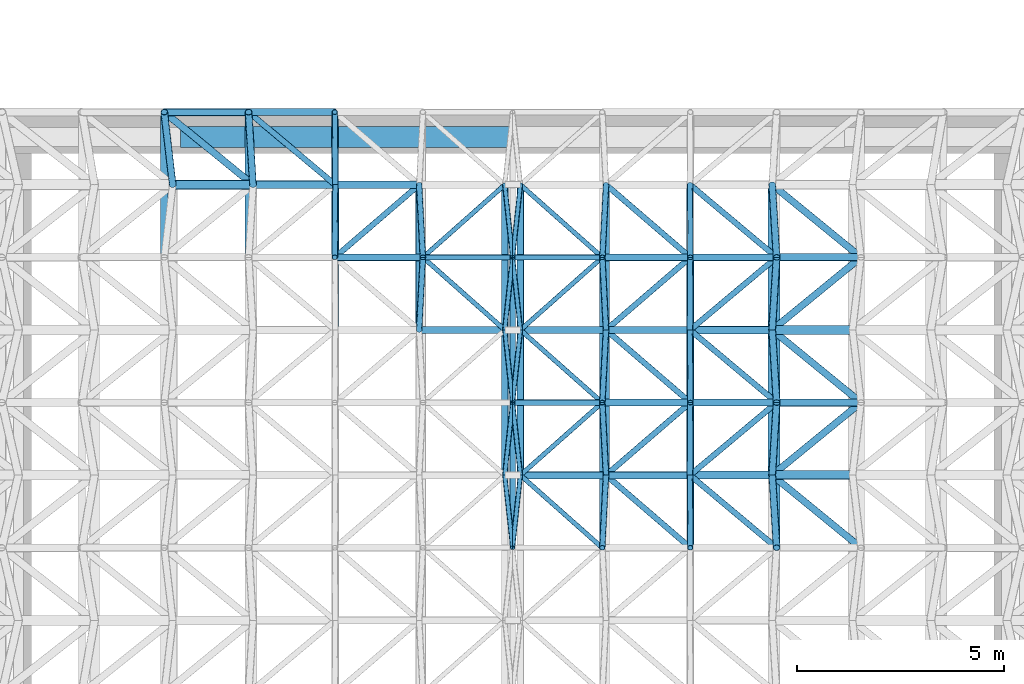
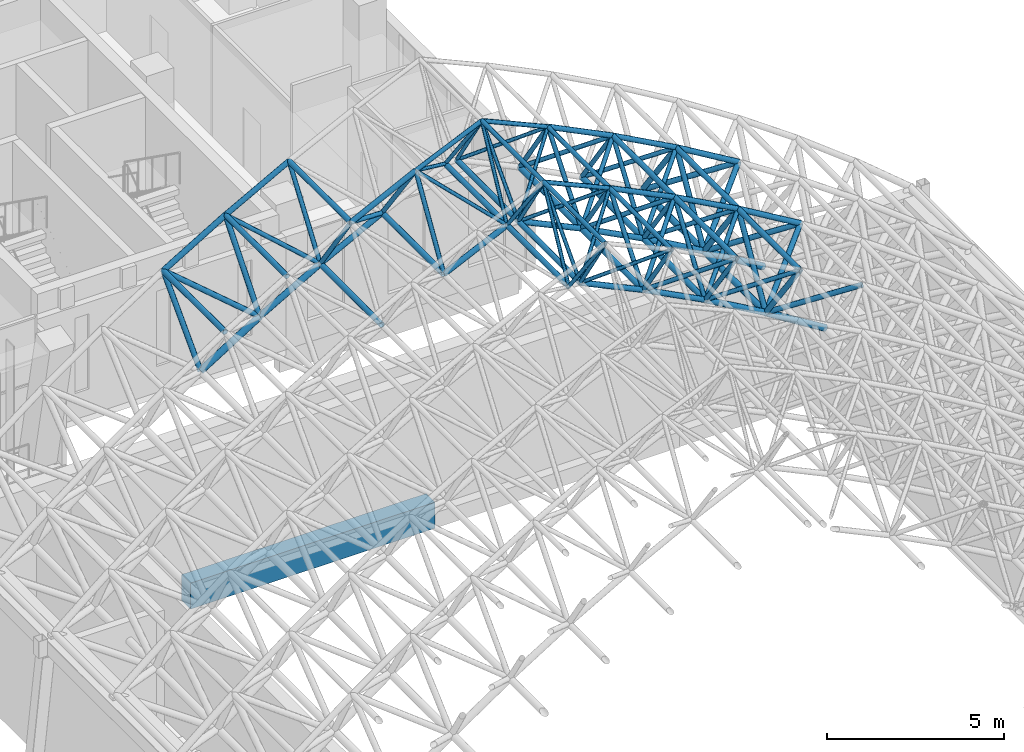
# One storey, part 52 of 141: 103 members, 1 beam.
"""IFC4 building model written with IfcOpenShell, lengths in metres."""

from ifc_helpers import new_model, si_unit, direction, frame, origin, origin_2d, place, context, subcontext, project, spatial, rectangle, hollow_circle, extrude, material, material_profile, profile_set, type_object, element, save


model = new_model("IFC4")

# Units and contexts
model_context = context("Model", 3, precision=1e-05, world=origin(), true_north=direction((0.0, 1.0)))
body_context = subcontext(model_context, "Body", "Model", "MODEL_VIEW")
ifc_project = project(units=[si_unit("LENGTHUNIT", "METRE"), si_unit("AREAUNIT", "SQUARE_METRE"), si_unit("VOLUMEUNIT", "CUBIC_METRE"), si_unit("PLANEANGLEUNIT", "RADIAN"), si_unit("MASSUNIT", "GRAM", prefix="KILO")], contexts=[model_context])

# Site, building, storey
site_placement = place(None, origin())
site = spatial("IfcSite", under=ifc_project, at=site_placement, CompositionType="ELEMENT")
building_placement = place(site_placement, origin())
building = spatial("IfcBuilding", under=site, at=building_placement, Name="Lantern Court Media Centre", CompositionType="ELEMENT")
storey_placement = place(building_placement, frame((0.0, 0.0, 9.60009765625)))
storey = spatial("IfcBuildingStorey", under=building, at=storey_placement, Name="L02", CompositionType="ELEMENT", Elevation=9.60009765625)

# Beam
ifc_material_1 = material(Name="Concrete C35", Category="concrete")
ifc_material_profile_1 = material_profile(ifc_material_1, rectangle(XDim=0.5, YDim=0.89990234375, at=origin_2d()), Name="RC 500x900")
ifc_profile_set_1 = profile_set([ifc_material_profile_1], Name="Concrete C35")
beam_type = type_object("IfcBeamType", Name="RC BEAM 500x900", PredefinedType="BEAM", material=ifc_profile_set_1)
beam_placement = place(storey_placement, frame((80.0, 39.39990234375, -0.4501953125), z_axis=(1.0, 0.0, 0.0), x_axis=(0.0, 1.0, 0.0)))
element("IfcBeam", 1, at=beam_placement, inside=storey, type_object=beam_type, Name="HB-V2-L02-FX6-1", PredefinedType="BEAM", context=body_context, shape_type="SweptSolid", body=[
    extrude(rectangle(XDim=0.5, YDim=0.89990234375, at=origin_2d()), origin(), (0.0, 0.0, 1.0), 8.0),
])

# Members
ifc_material_2 = material(Name="Steel S355J2 (EN 10025-2)", Category="steel")
ifc_material_profile_2 = material_profile(ifc_material_2, hollow_circle(Radius=0.084228515625, WallThickness=0.00634765625, at=origin_2d()), Name="Studio Hall bottom CHS 168.3x6.3")
ifc_profile_set_2 = profile_set([ifc_material_profile_2], Name="Steel S355J2 (EN 10025-2)")
member_type_1 = type_object("IfcMemberType", Name="Studio Hall bottom CHS 168.3x6.3", PredefinedType="CHORD", material=ifc_profile_set_2)
for number, where, z_axis, x_axis, name in (
    (2, (87.812255859375, 31.25, 12.31884765625), (0.0, 1.0, 0.0), (-1.0, 0.0, 0.0), "Studio Hall bottom chord 08-10"),
    (3, (88.187744140625, 31.25, 12.31884765625), (0.0, 1.0, 0.0), (-1.0, 0.0, 0.0), "Studio Hall bottom chord 09-10"),
    (4, (87.812255859375, 34.75, 12.31884765625), (0.0, 1.0, 0.0), (-1.0, 0.0, 0.0), "Studio Hall bottom chord 08-11"),
    (5, (88.187744140625, 34.75, 12.31884765625), (0.0, 1.0, 0.0), (-1.0, 0.0, 0.0), "Studio Hall bottom chord 09-11"),
):
    element("IfcMember", number, at=place(storey_placement, frame(where, z_axis=z_axis, x_axis=x_axis)), inside=storey, type_object=member_type_1, Name=name, PredefinedType="CHORD", context=body_context, shape_type="SweptSolid", body=[
        extrude(hollow_circle(Radius=0.084228515625, WallThickness=0.00634765625, at=origin_2d()), origin(), (0.0, 0.0, 1.0), 3.5),
    ])
ifc_material_profile_3 = material_profile(ifc_material_2, hollow_circle(Radius=0.0888671875, WallThickness=0.008056640625, at=origin_2d()), Name="Studio Hall bottom CHS 177.8x8")
ifc_profile_set_3 = profile_set([ifc_material_profile_3], Name="Steel S355J2 (EN 10025-2)")
member_type_2 = type_object("IfcMemberType", Name="Studio Hall bottom CHS 177.8x8", PredefinedType="CHORD", material=ifc_profile_set_3)
for number, where, z_axis, x_axis, name in (
    (6, (90.251708984375, 31.25, 11.3466796875), (0.0, 1.0, 0.0), (-1.0, 0.0, 0.0), "Studio Hall bottom chord 10-10"),
    (7, (92.275634765625, 31.25, 10.2939453125), (0.0, 1.0, 0.0), (-1.0, 0.0, 0.0), "Studio Hall bottom chord 11-10"),
    (8, (83.724365234375, 34.75, 10.2939453125), (0.0, 1.0, 0.0), (-1.0, 0.0, 0.0), "Studio Hall bottom chord 06-11"),
    (9, (85.748291015625, 34.75, 11.3466796875), (0.0, 1.0, 0.0), (-1.0, 0.0, 0.0), "Studio Hall bottom chord 07-11"),
    (10, (90.251708984375, 34.75, 11.3466796875), (0.0, 1.0, 0.0), (-1.0, 0.0, 0.0), "Studio Hall bottom chord 10-11"),
    (11, (92.275634765625, 34.75, 10.2939453125), (0.0, 1.0, 0.0), (-1.0, 0.0, 0.0), "Studio Hall bottom chord 11-11"),
):
    element("IfcMember", number, at=place(storey_placement, frame(where, z_axis=z_axis, x_axis=x_axis)), inside=storey, type_object=member_type_2, Name=name, PredefinedType="CHORD", context=body_context, shape_type="SweptSolid", body=[
        extrude(hollow_circle(Radius=0.0888671875, WallThickness=0.008056640625, at=origin_2d()), origin(), (0.0, 0.0, 1.0), 3.5),
    ])
member_1_placement = place(storey_placement, frame((88.187744140625, 31.25, 12.31884765625), z_axis=(0.904668285171, 0.0, -0.426116526088), x_axis=(0.0, 1.0, 0.0)))
element("IfcMember", 12, at=member_1_placement, inside=storey, type_object=member_type_2, Name="Studio Hall bottom chord 09-10 across", PredefinedType="CHORD", context=body_context, shape_type="SweptSolid", body=[
    extrude(hollow_circle(Radius=0.0888671875, WallThickness=0.008056640625, at=origin_2d()), origin(), (0.0, 0.0, 1.0), 2.281494140625),
])
member_2_placement = place(storey_placement, frame((90.251708984375, 31.25, 11.3466796875), z_axis=(0.887164230848, 0.0, -0.461453819471), x_axis=(0.0, 1.0, 0.0)))
element("IfcMember", 13, at=member_2_placement, inside=storey, type_object=member_type_2, Name="Studio Hall bottom chord 10-10 across", PredefinedType="CHORD", context=body_context, shape_type="SweptSolid", body=[
    extrude(hollow_circle(Radius=0.0888671875, WallThickness=0.008056640625, at=origin_2d()), origin(), (0.0, 0.0, 1.0), 2.28125),
])
for number, where, z_axis, x_axis, name in (
    (14, (85.748291015625, 34.75, 11.3466796875), (0.904668285171, 0.0, 0.426116526088), (0.0, 1.0, 0.0), "Studio Hall bottom chord 07-11 across"),
    (15, (88.187744140625, 34.75, 12.31884765625), (0.904668285171, 0.0, -0.426116526088), (0.0, 1.0, 0.0), "Studio Hall bottom chord 09-11 across"),
):
    element("IfcMember", number, at=place(storey_placement, frame(where, z_axis=z_axis, x_axis=x_axis)), inside=storey, type_object=member_type_2, Name=name, PredefinedType="CHORD", context=body_context, shape_type="SweptSolid", body=[
        extrude(hollow_circle(Radius=0.0888671875, WallThickness=0.008056640625, at=origin_2d()), origin(), (0.0, 0.0, 1.0), 2.281494140625),
    ])
for number, where, z_axis, x_axis, name in (
    (16, (90.251708984375, 34.75, 11.3466796875), (0.887164230848, 0.0, -0.461453819471), (0.0, 1.0, 0.0), "Studio Hall bottom chord 10-11 across"),
    (17, (83.724365234375, 38.25, 10.2939453125), (0.887164230848, 0.0, 0.461453819471), (0.0, 1.0, 0.0), "Studio Hall bottom chord 06-12 across"),
):
    element("IfcMember", number, at=place(storey_placement, frame(where, z_axis=z_axis, x_axis=x_axis)), inside=storey, type_object=member_type_2, Name=name, PredefinedType="CHORD", context=body_context, shape_type="SweptSolid", body=[
        extrude(hollow_circle(Radius=0.0888671875, WallThickness=0.008056640625, at=origin_2d()), origin(), (0.0, 0.0, 1.0), 2.28125),
    ])
ifc_material_profile_4 = material_profile(ifc_material_2, hollow_circle(Radius=0.096923828125, WallThickness=0.008056640625, at=origin_2d()), Name="Studio Hall bottom CHS 193.7x8")
ifc_profile_set_4 = profile_set([ifc_material_profile_4], Name="Steel S355J2 (EN 10025-2)")
member_type_3 = type_object("IfcMemberType", Name="Studio Hall bottom CHS 193.7x8", PredefinedType="CHORD", material=ifc_profile_set_4)
for number, where, z_axis, x_axis, name in (
    (18, (94.25634765625, 31.25, 9.162109375), (0.0, 1.0, 0.0), (-1.0, 0.0, 0.0), "Studio Hall bottom chord 12-10"),
    (19, (94.25634765625, 34.75, 9.162109375), (0.0, 1.0, 0.0), (-1.0, 0.0, 0.0), "Studio Hall bottom chord 12-11"),
):
    element("IfcMember", number, at=place(storey_placement, frame(where, z_axis=z_axis, x_axis=x_axis)), inside=storey, type_object=member_type_3, Name=name, PredefinedType="CHORD", context=body_context, shape_type="SweptSolid", body=[
        extrude(hollow_circle(Radius=0.096923828125, WallThickness=0.008056640625, at=origin_2d()), origin(), (0.0, 0.0, 1.0), 3.5),
    ])
for number, where, z_axis, x_axis, name in (
    (20, (92.275634765625, 31.25, 10.2939453125), (0.868243142124, 0.0, -0.496138938357), (0.0, 1.0, 0.0), "Studio Hall bottom chord 11-10 across"),
    (21, (92.275634765625, 34.75, 10.2939453125), (0.868243142124, 0.0, -0.496138938357), (0.0, 1.0, 0.0), "Studio Hall bottom chord 11-11 across"),
    (22, (81.74365234375, 38.25, 9.162109375), (0.868243142124, 0.0, 0.496138938357), (0.0, 1.0, 0.0), "Studio Hall bottom chord 05-12 across"),
):
    element("IfcMember", number, at=place(storey_placement, frame(where, z_axis=z_axis, x_axis=x_axis)), inside=storey, type_object=member_type_3, Name=name, PredefinedType="CHORD", context=body_context, shape_type="SweptSolid", body=[
        extrude(hollow_circle(Radius=0.096923828125, WallThickness=0.008056640625, at=origin_2d()), origin(), (0.0, 0.0, 1.0), 2.28125),
    ])
ifc_material_profile_5 = material_profile(ifc_material_2, hollow_circle(Radius=0.109619140625, WallThickness=0.010009765625, at=origin_2d()), Name="Studio Hall bottom CHS 219.1x10")
ifc_profile_set_5 = profile_set([ifc_material_profile_5], Name="Steel S355J2 (EN 10025-2)")
member_type_4 = type_object("IfcMemberType", Name="Studio Hall bottom CHS 219.1x10", PredefinedType="CHORD", material=ifc_profile_set_5)
for number, where, z_axis, x_axis, name in (
    (23, (94.25634765625, 31.25, 9.162109375), (0.848022352453, 0.0, -0.529960460544), (0.0, 1.0, 0.0), "Studio Hall bottom chord 12-10 across"),
    (24, (94.25634765625, 34.75, 9.162109375), (0.848022352453, 0.0, -0.529960460544), (0.0, 1.0, 0.0), "Studio Hall bottom chord 12-11 across"),
    (25, (79.80908203125, 38.25, 7.953125), (0.848022352453, 0.0, 0.529960460544), (0.0, 1.0, 0.0), "Studio Hall bottom chord 04-12 across"),
):
    element("IfcMember", number, at=place(storey_placement, frame(where, z_axis=z_axis, x_axis=x_axis)), inside=storey, type_object=member_type_4, Name=name, PredefinedType="CHORD", context=body_context, shape_type="SweptSolid", body=[
        extrude(hollow_circle(Radius=0.109619140625, WallThickness=0.010009765625, at=origin_2d()), origin(), (0.0, 0.0, 1.0), 2.28125),
    ])
ifc_material_profile_6 = material_profile(ifc_material_2, hollow_circle(Radius=0.05712890625, WallThickness=0.0048828125, at=origin_2d()), Name="Studio Hall diagonal CHS 114.3x5")
ifc_profile_set_6 = profile_set([ifc_material_profile_6], Name="Steel S355J2 (EN 10025-2)")
member_type_5 = type_object("IfcMemberType", Name="Studio Hall diagonal CHS 114.3x5", PredefinedType="BRACE", material=ifc_profile_set_6)
for number, where, z_axis, x_axis, name in (
    (26, (87.812255859375, 31.25, 12.31884765625), (0.061720233377, -0.575306414621, 0.815605996844), (0.994294451035, 0.106670261279, 0.0), "Studio Hall diagonal 08-10-2"),
    (27, (87.812255859375, 31.25, 12.31884765625), (0.061720233377, 0.575306414621, 0.815605996844), (-0.994294451035, 0.106670261279, 0.0), "Studio Hall diagonal 08-10-3"),
    (28, (88.187744140625, 31.25, 12.31884765625), (-0.061720233377, -0.575306414621, 0.815605996844), (0.994294451035, -0.106670261279, 0.0), "Studio Hall diagonal 09-10-1"),
):
    element("IfcMember", number, at=place(storey_placement, frame(where, z_axis=z_axis, x_axis=x_axis)), inside=storey, type_object=member_type_5, Name=name, PredefinedType="BRACE", context=body_context, shape_type="SweptSolid", body=[
        extrude(hollow_circle(Radius=0.05712890625, WallThickness=0.0048828125, at=origin_2d()), origin(), (0.0, 0.0, 1.0), 3.041748046875),
    ])
for number, where, z_axis, x_axis, name in (
    (29, (88.187744140625, 31.25, 12.31884765625), (0.64897917405, -0.57530085575, 0.497850335967), (0.663352272412, 0.748307264889, 0.0), "Studio Hall diagonal 09-10-2"),
    (30, (88.187744140625, 31.25, 12.31884765625), (0.64897917405, 0.57530085575, 0.497850335967), (-0.663352272412, 0.748307264889, 0.0), "Studio Hall diagonal 09-10-3"),
):
    element("IfcMember", number, at=place(storey_placement, frame(where, z_axis=z_axis, x_axis=x_axis)), inside=storey, type_object=member_type_5, Name=name, PredefinedType="BRACE", context=body_context, shape_type="SweptSolid", body=[
        extrude(hollow_circle(Radius=0.05712890625, WallThickness=0.0048828125, at=origin_2d()), origin(), (0.0, 0.0, 1.0), 3.0419921875),
    ])
for number, where, z_axis, x_axis, name in (
    (31, (88.187744140625, 31.25, 12.31884765625), (-0.061720233377, 0.575306414621, 0.815605996844), (-0.994294451035, -0.106670261279, 0.0), "Studio Hall diagonal 09-10-4"),
    (32, (87.812255859375, 34.75, 12.31884765625), (0.061720233377, -0.575306414621, 0.815605996844), (0.994294451035, 0.106670261279, 0.0), "Studio Hall diagonal 08-11-2"),
    (33, (87.812255859375, 34.75, 12.31884765625), (0.061720233377, 0.575306414621, 0.815605996844), (-0.994294451035, 0.106670261279, 0.0), "Studio Hall diagonal 08-11-3"),
):
    element("IfcMember", number, at=place(storey_placement, frame(where, z_axis=z_axis, x_axis=x_axis)), inside=storey, type_object=member_type_5, Name=name, PredefinedType="BRACE", context=body_context, shape_type="SweptSolid", body=[
        extrude(hollow_circle(Radius=0.05712890625, WallThickness=0.0048828125, at=origin_2d()), origin(), (0.0, 0.0, 1.0), 3.041748046875),
    ])
member_3_placement = place(storey_placement, frame((87.812255859375, 34.75, 12.31884765625), z_axis=(-0.64897917405, 0.57530085575, 0.497850335967), x_axis=(-0.663352272412, -0.748307264889, 0.0)))
element("IfcMember", 34, at=member_3_placement, inside=storey, type_object=member_type_5, Name="Studio Hall diagonal 08-11-4", PredefinedType="BRACE", context=body_context, shape_type="SweptSolid", body=[
    extrude(hollow_circle(Radius=0.05712890625, WallThickness=0.0048828125, at=origin_2d()), origin(), (0.0, 0.0, 1.0), 3.0419921875),
])
member_4_placement = place(storey_placement, frame((88.187744140625, 34.75, 12.31884765625), z_axis=(-0.061720233377, -0.575306414621, 0.815605996844), x_axis=(0.994294451035, -0.106670261279, 0.0)))
element("IfcMember", 35, at=member_4_placement, inside=storey, type_object=member_type_5, Name="Studio Hall diagonal 09-11-1", PredefinedType="BRACE", context=body_context, shape_type="SweptSolid", body=[
    extrude(hollow_circle(Radius=0.05712890625, WallThickness=0.0048828125, at=origin_2d()), origin(), (0.0, 0.0, 1.0), 3.041748046875),
])
for number, where, z_axis, x_axis, name in (
    (36, (88.187744140625, 34.75, 12.31884765625), (0.64897917405, -0.57530085575, 0.497850335967), (0.663352272412, 0.748307264889, 0.0), "Studio Hall diagonal 09-11-2"),
    (37, (88.187744140625, 34.75, 12.31884765625), (0.64897917405, 0.57530085575, 0.497850335967), (-0.663352272412, 0.748307264889, 0.0), "Studio Hall diagonal 09-11-3"),
):
    element("IfcMember", number, at=place(storey_placement, frame(where, z_axis=z_axis, x_axis=x_axis)), inside=storey, type_object=member_type_5, Name=name, PredefinedType="BRACE", context=body_context, shape_type="SweptSolid", body=[
        extrude(hollow_circle(Radius=0.05712890625, WallThickness=0.0048828125, at=origin_2d()), origin(), (0.0, 0.0, 1.0), 3.0419921875),
    ])
member_5_placement = place(storey_placement, frame((88.187744140625, 34.75, 12.31884765625), z_axis=(-0.061720233377, 0.575306414621, 0.815605996844), x_axis=(-0.994294451035, -0.106670261279, 0.0)))
element("IfcMember", 38, at=member_5_placement, inside=storey, type_object=member_type_5, Name="Studio Hall diagonal 09-11-4", PredefinedType="BRACE", context=body_context, shape_type="SweptSolid", body=[
    extrude(hollow_circle(Radius=0.05712890625, WallThickness=0.0048828125, at=origin_2d()), origin(), (0.0, 0.0, 1.0), 3.041748046875),
])
member_6_placement = place(storey_placement, frame((87.812255859375, 38.25, 12.31884765625), z_axis=(-0.64897917405, -0.57530085575, 0.497850335967), x_axis=(0.663352272412, -0.748307264889, 0.0)))
element("IfcMember", 39, at=member_6_placement, inside=storey, type_object=member_type_5, Name="Studio Hall diagonal 08-12-1", PredefinedType="BRACE", context=body_context, shape_type="SweptSolid", body=[
    extrude(hollow_circle(Radius=0.05712890625, WallThickness=0.0048828125, at=origin_2d()), origin(), (0.0, 0.0, 1.0), 3.0419921875),
])
for number, where, z_axis, x_axis, name in (
    (40, (87.812255859375, 38.25, 12.31884765625), (0.061720233377, -0.575306414621, 0.815605996844), (0.994294451035, 0.106670261279, 0.0), "Studio Hall diagonal 08-12-2"),
    (41, (88.187744140625, 38.25, 12.31884765625), (-0.061720233377, -0.575306414621, 0.815605996844), (0.994294451035, -0.106670261279, 0.0), "Studio Hall diagonal 09-12-1"),
):
    element("IfcMember", number, at=place(storey_placement, frame(where, z_axis=z_axis, x_axis=x_axis)), inside=storey, type_object=member_type_5, Name=name, PredefinedType="BRACE", context=body_context, shape_type="SweptSolid", body=[
        extrude(hollow_circle(Radius=0.05712890625, WallThickness=0.0048828125, at=origin_2d()), origin(), (0.0, 0.0, 1.0), 3.041748046875),
    ])
member_7_placement = place(storey_placement, frame((88.187744140625, 38.25, 12.31884765625), z_axis=(0.64897917405, -0.57530085575, 0.497850335967), x_axis=(0.663352272412, 0.748307264889, 0.0)))
element("IfcMember", 42, at=member_7_placement, inside=storey, type_object=member_type_5, Name="Studio Hall diagonal 09-12-2", PredefinedType="BRACE", context=body_context, shape_type="SweptSolid", body=[
    extrude(hollow_circle(Radius=0.05712890625, WallThickness=0.0048828125, at=origin_2d()), origin(), (0.0, 0.0, 1.0), 3.0419921875),
])
ifc_material_profile_7 = material_profile(ifc_material_2, hollow_circle(Radius=0.06982421875, WallThickness=0.00634765625, at=origin_2d()), Name="Studio Hall diagonal CHS 139.7x6.3")
ifc_profile_set_7 = profile_set([ifc_material_profile_7], Name="Steel S355J2 (EN 10025-2)")
member_type_6 = type_object("IfcMemberType", Name="Studio Hall diagonal CHS 139.7x6.3", PredefinedType="BRACE", material=ifc_profile_set_7)
for number, where, z_axis, x_axis, name in (
    (43, (90.251708984375, 31.25, 11.3466796875), (-0.029534674704, -0.575284098581, 0.817420276792), (0.998684738299, -0.051271761118, 0.0), "Studio Hall diagonal 10-10-1"),
    (44, (90.251708984375, 31.25, 11.3466796875), (0.668074997838, -0.575295721349, 0.471922271419), (0.652528943422, 0.757763800927, 0.0), "Studio Hall diagonal 10-10-2"),
    (45, (90.251708984375, 31.25, 11.3466796875), (0.668074997838, 0.575295721349, 0.471922271419), (-0.652528943422, 0.757763800927, 0.0), "Studio Hall diagonal 10-10-3"),
    (46, (90.251708984375, 31.25, 11.3466796875), (-0.029534674704, 0.575284098581, 0.817420276792), (-0.998684738299, -0.051271761118, 0.0), "Studio Hall diagonal 10-10-4"),
    (47, (92.275634765625, 31.25, 10.2939453125), (0.002728673556, -0.575268589684, 0.817960025957), (0.999988750725, 0.004743250213, 0.0), "Studio Hall diagonal 11-10-1"),
    (48, (92.275634765625, 31.25, 10.2939453125), (0.686219606918, -0.575300835367, 0.445119759061), (0.642456097081, 0.76632249303, 0.0), "Studio Hall diagonal 11-10-2"),
    (49, (92.275634765625, 31.25, 10.2939453125), (0.686219606918, 0.575300835367, 0.445119759061), (-0.642456097081, 0.76632249303, 0.0), "Studio Hall diagonal 11-10-3"),
    (50, (92.275634765625, 31.25, 10.2939453125), (0.002728673556, 0.575268589684, 0.817960025957), (-0.999988750725, 0.004743250213, 0.0), "Studio Hall diagonal 11-10-4"),
    (51, (85.748291015625, 34.75, 11.3466796875), (0.029534674704, 0.575284098581, 0.817420276792), (-0.998684738299, 0.051271761118, 0.0), "Studio Hall diagonal 07-11-3"),
    (52, (90.251708984375, 34.75, 11.3466796875), (-0.029534674704, -0.575284098581, 0.817420276792), (0.998684738299, -0.051271761118, 0.0), "Studio Hall diagonal 10-11-1"),
    (53, (90.251708984375, 34.75, 11.3466796875), (0.668074997838, -0.575295721349, 0.471922271419), (0.652528943422, 0.757763800927, 0.0), "Studio Hall diagonal 10-11-2"),
    (54, (90.251708984375, 34.75, 11.3466796875), (0.668074997838, 0.575295721349, 0.471922271419), (-0.652528943422, 0.757763800927, 0.0), "Studio Hall diagonal 10-11-3"),
    (55, (90.251708984375, 34.75, 11.3466796875), (-0.029534674704, 0.575284098581, 0.817420276792), (-0.998684738299, -0.051271761118, 0.0), "Studio Hall diagonal 10-11-4"),
    (56, (92.275634765625, 34.75, 10.2939453125), (0.002728673556, -0.575268589684, 0.817960025957), (0.999988750725, 0.004743250213, 0.0), "Studio Hall diagonal 11-11-1"),
    (57, (92.275634765625, 34.75, 10.2939453125), (0.686219606918, -0.575300835367, 0.445119759061), (0.642456097081, 0.76632249303, 0.0), "Studio Hall diagonal 11-11-2"),
    (58, (92.275634765625, 34.75, 10.2939453125), (0.686219606918, 0.575300835367, 0.445119759061), (-0.642456097081, 0.76632249303, 0.0), "Studio Hall diagonal 11-11-3"),
    (59, (92.275634765625, 34.75, 10.2939453125), (0.002728673556, 0.575268589684, 0.817960025957), (-0.999988750725, 0.004743250213, 0.0), "Studio Hall diagonal 11-11-4"),
    (60, (83.724365234375, 38.25, 10.2939453125), (-0.002728673556, -0.575268589684, 0.817960025957), (0.999988750725, -0.004743250213, 0.0), "Studio Hall diagonal 06-12-2"),
    (61, (83.724365234375, 38.25, 10.2939453125), (-0.002728673556, 0.575268589684, 0.817960025957), (-0.999988750725, -0.004743250213, 0.0), "Studio Hall diagonal 06-12-3"),
    (62, (83.724365234375, 38.25, 10.2939453125), (-0.686219606918, 0.575300835367, 0.445119759061), (-0.642456097081, -0.76632249303, 0.0), "Studio Hall diagonal 06-12-4"),
    (63, (85.748291015625, 38.25, 11.3466796875), (-0.668074997838, -0.575295721349, 0.471922271419), (0.652528943422, -0.757763800927, 0.0), "Studio Hall diagonal 07-12-1"),
    (64, (85.748291015625, 38.25, 11.3466796875), (0.029534674704, -0.575284098581, 0.817420276792), (0.998684738299, 0.051271761118, 0.0), "Studio Hall diagonal 07-12-2"),
    (65, (90.251708984375, 38.25, 11.3466796875), (-0.029534674704, -0.575284098581, 0.817420276792), (0.998684738299, -0.051271761118, 0.0), "Studio Hall diagonal 10-12-1"),
    (66, (90.251708984375, 38.25, 11.3466796875), (0.668074997838, -0.575295721349, 0.471922271419), (0.652528943422, 0.757763800927, 0.0), "Studio Hall diagonal 10-12-2"),
    (67, (92.275634765625, 38.25, 10.2939453125), (0.002728673556, -0.575268589684, 0.817960025957), (0.999988750725, 0.004743250213, 0.0), "Studio Hall diagonal 11-12-1"),
    (68, (92.275634765625, 38.25, 10.2939453125), (0.686219606918, -0.575300835367, 0.445119759061), (0.642456097081, 0.76632249303, 0.0), "Studio Hall diagonal 11-12-2"),
):
    element("IfcMember", number, at=place(storey_placement, frame(where, z_axis=z_axis, x_axis=x_axis)), inside=storey, type_object=member_type_6, Name=name, PredefinedType="BRACE", context=body_context, shape_type="SweptSolid", body=[
        extrude(hollow_circle(Radius=0.06982421875, WallThickness=0.00634765625, at=origin_2d()), origin(), (0.0, 0.0, 1.0), 3.0419921875),
    ])
ifc_material_profile_8 = material_profile(ifc_material_2, hollow_circle(Radius=0.084228515625, WallThickness=0.00634765625, at=origin_2d()), Name="Studio Hall diagonal CHS 168.3x6.3")
ifc_profile_set_8 = profile_set([ifc_material_profile_8], Name="Steel S355J2 (EN 10025-2)")
member_type_7 = type_object("IfcMemberType", Name="Studio Hall diagonal CHS 168.3x6.3", PredefinedType="BRACE", material=ifc_profile_set_8)
for number, where, z_axis, x_axis, name in (
    (69, (94.25634765625, 31.25, 9.162109375), (0.035073053804, -0.575294392838, 0.817194127773), (0.99814677432, 0.060852419138, 0.0), "Studio Hall diagonal 12-10-1"),
    (70, (94.25634765625, 31.25, 9.162109375), (0.703225463004, -0.575293325589, 0.417745781207), (0.633189685482, 0.77399665516, 0.0), "Studio Hall diagonal 12-10-2"),
    (71, (94.25634765625, 31.25, 9.162109375), (0.703225463004, 0.575293325589, 0.417745781207), (-0.633189685482, 0.77399665516, 0.0), "Studio Hall diagonal 12-10-3"),
    (72, (94.25634765625, 31.25, 9.162109375), (0.035073053804, 0.575294392838, 0.817194127773), (-0.99814677432, 0.060852419138, 0.0), "Studio Hall diagonal 12-10-4"),
    (73, (94.25634765625, 34.75, 9.162109375), (0.035073053804, -0.575294392838, 0.817194127773), (0.99814677432, 0.060852419138, 0.0), "Studio Hall diagonal 12-11-1"),
    (74, (94.25634765625, 34.75, 9.162109375), (0.703225463004, -0.575293325589, 0.417745781207), (0.633189685482, 0.77399665516, 0.0), "Studio Hall diagonal 12-11-2"),
    (75, (94.25634765625, 34.75, 9.162109375), (0.703225463004, 0.575293325589, 0.417745781207), (-0.633189685482, 0.77399665516, 0.0), "Studio Hall diagonal 12-11-3"),
    (76, (94.25634765625, 34.75, 9.162109375), (0.035073053804, 0.575294392838, 0.817194127773), (-0.99814677432, 0.060852419138, 0.0), "Studio Hall diagonal 12-11-4"),
    (77, (81.74365234375, 38.25, 9.162109375), (-0.035073053804, 0.575294392838, 0.817194127773), (-0.99814677432, -0.060852419138, 0.0), "Studio Hall diagonal 05-12-3"),
    (78, (81.74365234375, 38.25, 9.162109375), (-0.703225463004, 0.575293325589, 0.417745781207), (-0.633189685482, -0.77399665516, 0.0), "Studio Hall diagonal 05-12-4"),
    (79, (94.25634765625, 38.25, 9.162109375), (0.035073053804, -0.575294392838, 0.817194127773), (0.99814677432, 0.060852419138, 0.0), "Studio Hall diagonal 12-12-1"),
    (80, (94.25634765625, 38.25, 9.162109375), (0.703225463004, -0.575293325589, 0.417745781207), (0.633189685482, 0.77399665516, 0.0), "Studio Hall diagonal 12-12-2"),
):
    element("IfcMember", number, at=place(storey_placement, frame(where, z_axis=z_axis, x_axis=x_axis)), inside=storey, type_object=member_type_7, Name=name, PredefinedType="BRACE", context=body_context, shape_type="SweptSolid", body=[
        extrude(hollow_circle(Radius=0.084228515625, WallThickness=0.00634765625, at=origin_2d()), origin(), (0.0, 0.0, 1.0), 3.0419921875),
    ])
ifc_material_profile_9 = material_profile(ifc_material_2, hollow_circle(Radius=0.084228515625, WallThickness=0.008056640625, at=origin_2d()), Name="Studio Hall diagonal CHS 168.3x8")
ifc_profile_set_9 = profile_set([ifc_material_profile_9], Name="Steel S355J2 (EN 10025-2)")
member_type_8 = type_object("IfcMemberType", Name="Studio Hall diagonal CHS 168.3x8", PredefinedType="BRACE", material=ifc_profile_set_9)
member_8_placement = place(storey_placement, frame((79.80908203125, 38.25, 7.953125), z_axis=(-0.067256187735, 0.575289204878, 0.815180308865), x_axis=(-0.993235466132, -0.116117650756, 0.0)))
element("IfcMember", 81, at=member_8_placement, inside=storey, type_object=member_type_8, Name="Studio Hall diagonal 04-12-3", PredefinedType="BRACE", context=body_context, shape_type="SweptSolid", body=[
    extrude(hollow_circle(Radius=0.084228515625, WallThickness=0.008056640625, at=origin_2d()), origin(), (0.0, 0.0, 1.0), 3.0419921875),
])
ifc_material_profile_10 = material_profile(ifc_material_2, hollow_circle(Radius=0.06982421875, WallThickness=0.00634765625, at=origin_2d()), Name="Studio Hall top CHS 139.7x6.3")
ifc_profile_set_10 = profile_set([ifc_material_profile_10], Name="Steel S355J2 (EN 10025-2)")
member_type_9 = type_object("IfcMemberType", Name="Studio Hall top CHS 139.7x6.3", PredefinedType="CHORD", material=ifc_profile_set_10)
for number, where, z_axis, x_axis, name in (
    (82, (88.0, 29.5, 14.7998046875), (0.0, 1.0, 0.0), (-1.0, 0.0, 0.0), "Studio Hall top chord 09-10"),
    (83, (90.161865234375, 29.5, 13.833251953125), (0.0, 1.0, 0.0), (-1.0, 0.0, 0.0), "Studio Hall top chord 10-10"),
    (84, (88.0, 33.0, 14.7998046875), (0.0, 1.0, 0.0), (-1.0, 0.0, 0.0), "Studio Hall top chord 09-11"),
    (85, (90.161865234375, 33.0, 13.833251953125), (0.0, 1.0, 0.0), (-1.0, 0.0, 0.0), "Studio Hall top chord 10-11"),
):
    element("IfcMember", number, at=place(storey_placement, frame(where, z_axis=z_axis, x_axis=x_axis)), inside=storey, type_object=member_type_9, Name=name, PredefinedType="CHORD", context=body_context, shape_type="SweptSolid", body=[
        extrude(hollow_circle(Radius=0.06982421875, WallThickness=0.00634765625, at=origin_2d()), origin(), (0.0, 0.0, 1.0), 3.5),
    ])
for number, where, z_axis, x_axis, name in (
    (86, (88.0, 33.0, 14.7998046875), (0.912912280931, 0.0, -0.408155812559), (0.0, 1.0, 0.0), "Studio Hall top chord 09-11 across"),
    (87, (85.838134765625, 36.5, 13.833251953125), (0.912912280931, 0.0, 0.408155812559), (0.0, 1.0, 0.0), "Studio Hall top chord 08-12 across"),
    (88, (88.0, 36.5, 14.7998046875), (0.912912280931, 0.0, -0.408155812559), (0.0, 1.0, 0.0), "Studio Hall top chord 09-12 across"),
):
    element("IfcMember", number, at=place(storey_placement, frame(where, z_axis=z_axis, x_axis=x_axis)), inside=storey, type_object=member_type_9, Name=name, PredefinedType="CHORD", context=body_context, shape_type="SweptSolid", body=[
        extrude(hollow_circle(Radius=0.06982421875, WallThickness=0.00634765625, at=origin_2d()), origin(), (0.0, 0.0, 1.0), 2.3681640625),
    ])
ifc_material_profile_11 = material_profile(ifc_material_2, hollow_circle(Radius=0.084228515625, WallThickness=0.00634765625, at=origin_2d()), Name="Studio Hall top CHS 168.3x6.3")
ifc_profile_set_11 = profile_set([ifc_material_profile_11], Name="Steel S355J2 (EN 10025-2)")
member_type_10 = type_object("IfcMemberType", Name="Studio Hall top CHS 168.3x6.3", PredefinedType="CHORD", material=ifc_profile_set_11)
for number, where, z_axis, x_axis, name in (
    (89, (92.283935546875, 29.5, 12.7822265625), (0.0, 1.0, 0.0), (-1.0, 0.0, 0.0), "Studio Hall top chord 11-10"),
    (90, (94.363037109375, 29.5, 11.64794921875), (0.0, 1.0, 0.0), (-1.0, 0.0, 0.0), "Studio Hall top chord 12-10"),
    (91, (92.283935546875, 33.0, 12.7822265625), (0.0, 1.0, 0.0), (-1.0, 0.0, 0.0), "Studio Hall top chord 11-11"),
    (92, (94.363037109375, 33.0, 11.64794921875), (0.0, 1.0, 0.0), (-1.0, 0.0, 0.0), "Studio Hall top chord 12-11"),
    (93, (81.636962890625, 36.5, 11.64794921875), (0.0, 1.0, 0.0), (-1.0, 0.0, 0.0), "Studio Hall top chord 06-12"),
    (94, (83.716064453125, 36.5, 12.7822265625), (0.0, 1.0, 0.0), (-1.0, 0.0, 0.0), "Studio Hall top chord 07-12"),
):
    element("IfcMember", number, at=place(storey_placement, frame(where, z_axis=z_axis, x_axis=x_axis)), inside=storey, type_object=member_type_10, Name=name, PredefinedType="CHORD", context=body_context, shape_type="SweptSolid", body=[
        extrude(hollow_circle(Radius=0.084228515625, WallThickness=0.00634765625, at=origin_2d()), origin(), (0.0, 0.0, 1.0), 3.5),
    ])
member_9_placement = place(storey_placement, frame((90.161865234375, 33.0, 13.833251953125), z_axis=(0.89611157523, 0.0, -0.443828846222), x_axis=(0.0, 1.0, 0.0)))
element("IfcMember", 95, at=member_9_placement, inside=storey, type_object=member_type_10, Name="Studio Hall top chord 10-11 across", PredefinedType="CHORD", context=body_context, shape_type="SweptSolid", body=[
    extrude(hollow_circle(Radius=0.084228515625, WallThickness=0.00634765625, at=origin_2d()), origin(), (0.0, 0.0, 1.0), 2.3681640625),
])
member_10_placement = place(storey_placement, frame((92.283935546875, 33.0, 12.7822265625), z_axis=(0.877856175106, 0.0, -0.478924352929), x_axis=(0.0, 1.0, 0.0)))
element("IfcMember", 96, at=member_10_placement, inside=storey, type_object=member_type_10, Name="Studio Hall top chord 11-11 across", PredefinedType="CHORD", context=body_context, shape_type="SweptSolid", body=[
    extrude(hollow_circle(Radius=0.084228515625, WallThickness=0.00634765625, at=origin_2d()), origin(), (0.0, 0.0, 1.0), 2.368408203125),
])
for number, where, z_axis, x_axis, name in (
    (97, (83.716064453125, 36.5, 12.7822265625), (0.89611157523, 0.0, 0.443828846222), (0.0, 1.0, 0.0), "Studio Hall top chord 07-12 across"),
    (98, (90.161865234375, 36.5, 13.833251953125), (0.89611157523, 0.0, -0.443828846222), (0.0, 1.0, 0.0), "Studio Hall top chord 10-12 across"),
):
    element("IfcMember", number, at=place(storey_placement, frame(where, z_axis=z_axis, x_axis=x_axis)), inside=storey, type_object=member_type_10, Name=name, PredefinedType="CHORD", context=body_context, shape_type="SweptSolid", body=[
        extrude(hollow_circle(Radius=0.084228515625, WallThickness=0.00634765625, at=origin_2d()), origin(), (0.0, 0.0, 1.0), 2.3681640625),
    ])
for number, where, z_axis, x_axis, name in (
    (99, (92.283935546875, 36.5, 12.7822265625), (0.877856175106, 0.0, -0.478924352929), (0.0, 1.0, 0.0), "Studio Hall top chord 11-12 across"),
    (100, (81.636962890625, 40.0, 11.64794921875), (0.877856175106, 0.0, 0.478924352929), (0.0, 1.0, 0.0), "Studio Hall top chord 06-13 across"),
):
    element("IfcMember", number, at=place(storey_placement, frame(where, z_axis=z_axis, x_axis=x_axis)), inside=storey, type_object=member_type_10, Name=name, PredefinedType="CHORD", context=body_context, shape_type="SweptSolid", body=[
        extrude(hollow_circle(Radius=0.084228515625, WallThickness=0.00634765625, at=origin_2d()), origin(), (0.0, 0.0, 1.0), 2.368408203125),
    ])
ifc_material_profile_12 = material_profile(ifc_material_2, hollow_circle(Radius=0.0888671875, WallThickness=0.008056640625, at=origin_2d()), Name="Studio Hall top CHS 177.8x8")
ifc_profile_set_12 = profile_set([ifc_material_profile_12], Name="Steel S355J2 (EN 10025-2)")
member_type_11 = type_object("IfcMemberType", Name="Studio Hall top CHS 177.8x8", PredefinedType="CHORD", material=ifc_profile_set_12)
member_11_placement = place(storey_placement, frame((79.6044921875, 36.5, 10.432861328125), z_axis=(0.0, 1.0, 0.0), x_axis=(-1.0, 0.0, 0.0)))
element("IfcMember", 101, at=member_11_placement, inside=storey, type_object=member_type_11, Name="Studio Hall top chord 05-12", PredefinedType="CHORD", context=body_context, shape_type="SweptSolid", body=[
    extrude(hollow_circle(Radius=0.0888671875, WallThickness=0.008056640625, at=origin_2d()), origin(), (0.0, 0.0, 1.0), 3.5),
])
for number, where, z_axis, x_axis, name in (
    (102, (94.363037109375, 33.0, 11.64794921875), (0.858310578199, 0.0, -0.513130540264), (0.0, 1.0, 0.0), "Studio Hall top chord 12-11 across"),
    (103, (94.363037109375, 36.5, 11.64794921875), (0.858310578199, 0.0, -0.513130540264), (0.0, 1.0, 0.0), "Studio Hall top chord 12-12 across"),
    (104, (79.6044921875, 40.0, 10.432861328125), (0.858310578199, 0.0, 0.513130540264), (0.0, 1.0, 0.0), "Studio Hall top chord 05-13 across"),
):
    element("IfcMember", number, at=place(storey_placement, frame(where, z_axis=z_axis, x_axis=x_axis)), inside=storey, type_object=member_type_11, Name=name, PredefinedType="CHORD", context=body_context, shape_type="SweptSolid", body=[
        extrude(hollow_circle(Radius=0.0888671875, WallThickness=0.008056640625, at=origin_2d()), origin(), (0.0, 0.0, 1.0), 2.367919921875),
    ])

save(model, "model.ifc")
